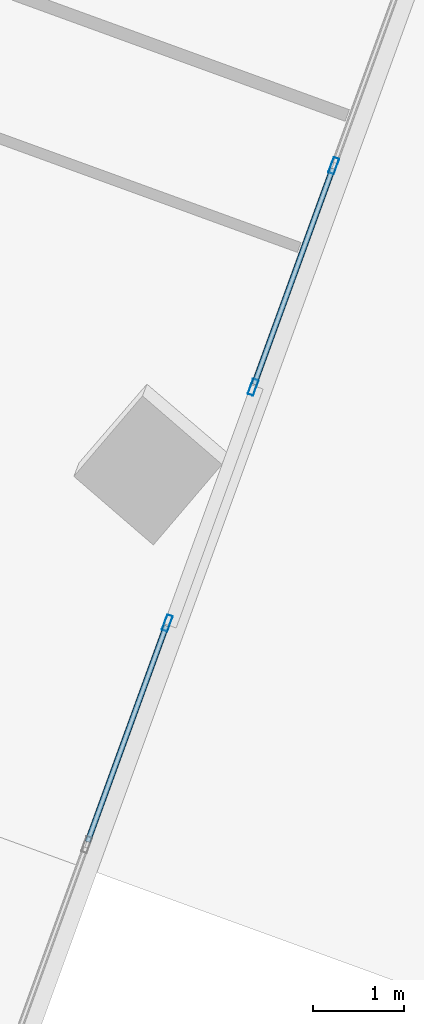
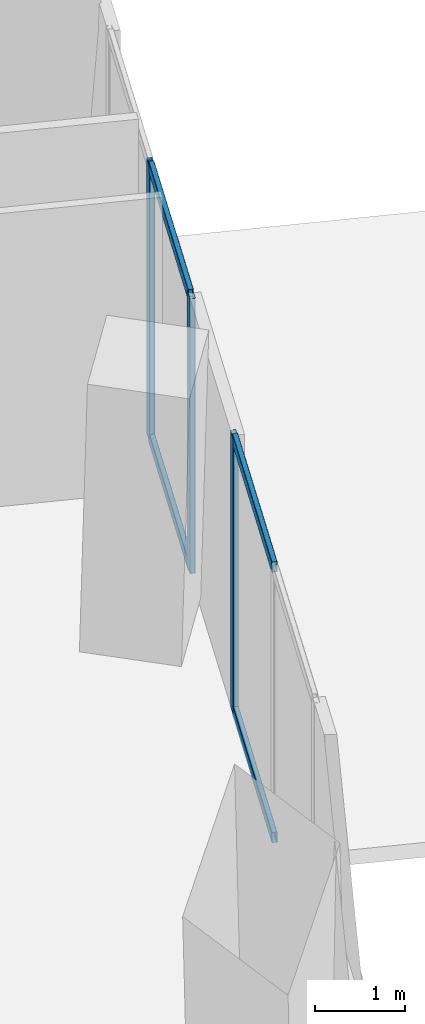
# One storey, part 9 of 21: 7 members, 2 elements without a shape of their own.
"""IFC4 building model written with IfcOpenShell, lengths in metres."""

from ifc_helpers import new_model, si_unit, direction, frame, origin, origin_2d, place, context, subcontext, project, spatial, hollow_rectangle, extrude, source, transform, mapped, material, material_profile, profile_set, type_object, element, aggregate, save


model = new_model("IFC4")

# Units and contexts
model_context = context("Model", 3, precision=1e-05, world=origin(), true_north=direction((0.0, 1.0)))
body_context = subcontext(model_context, "Body", "Model", "MODEL_VIEW")
ifc_project = project(units=[si_unit("LENGTHUNIT", "METRE"), si_unit("AREAUNIT", "SQUARE_METRE"), si_unit("VOLUMEUNIT", "CUBIC_METRE"), si_unit("PLANEANGLEUNIT", "RADIAN"), si_unit("MASSUNIT", "GRAM", prefix="KILO")], contexts=[model_context])

# Site, building, storey
site_placement = place(None, origin())
site = spatial("IfcSite", under=ifc_project, at=site_placement, CompositionType="ELEMENT")
building_placement = place(site_placement, origin())
building = spatial("IfcBuilding", under=site, at=building_placement, Name="Torre Montelarca", CompositionType="ELEMENT")
storey_placement = place(building_placement, frame((0.0, 0.0, 133.0)))
storey = spatial("IfcBuildingStorey", under=building, at=storey_placement, Name="L29", CompositionType="ELEMENT", Elevation=133.0)

# Curtain wall, member
ifc_material_1 = material(Name="Insulated low-E laminated glass", Category="glass")
curtain_wall_type = type_object("IfcCurtainWallType", Name="CW-SYS-Z2", PredefinedType="USERDEFINED", material=ifc_material_1)
curtain_wall_1_placement = place(storey_placement, origin())
curtain_wall_1 = element("IfcCurtainWall", 1, at=curtain_wall_1_placement, inside=storey, type_object=curtain_wall_type, Name="L29 Curtain Wall Run CW-T3-L29-E06-B1", ObjectType="UNITISED GLAZING", PredefinedType="USERDEFINED")
ifc_material_2 = material(Name="Anodised aluminium AA 6063-T6", Category="aluminium")
ifc_material_profile_1 = material_profile(ifc_material_2, hollow_rectangle(XDim=0.06494140625, YDim=0.179931640625, WallThickness=0.00390625, InnerFilletRadius=0.00390625, OuterFilletRadius=0.008056640625, at=origin_2d()), Name="ALU65X180X4", Category="aluminium")
ifc_profile_set_1 = profile_set([ifc_material_profile_1], Name="Anodised aluminium AA 6063-T6")
member_type_1 = type_object("IfcMemberType", Name="CWM-ALU180", PredefinedType="MULLION", material=ifc_profile_set_1)
shared_shape_1 = source(origin(), body_context, "Body", "SweptSolid", [
    extrude(hollow_rectangle(XDim=0.06494140625, YDim=0.179931640625, WallThickness=0.00390625, InnerFilletRadius=0.00390625, OuterFilletRadius=0.008056640625, at=origin_2d()), origin(), (0.0, 0.0, 1.0), 3.719970703125),
])
member_1_placement = place(storey_placement, frame((46.5556640625, 21.10791015625, 0.0), z_axis=(0.0, 0.0, 1.0), x_axis=(-0.939688565352, 0.342031285334, 0.0)))
member_1 = element("IfcMember", 2, at=member_1_placement, type_object=member_type_1, Name="CW mullion 3", PredefinedType="MULLION", context=body_context, shape_type="MappedRepresentation", body=[
    mapped(shared_shape_1, transform((0.0, 0.0, 0.0), scale=1.0)),
])

# Curtain wall, members
curtain_wall_2_placement = place(storey_placement, origin())
curtain_wall_2 = element("IfcCurtainWall", 3, at=curtain_wall_2_placement, inside=storey, type_object=curtain_wall_type, Name="L29 Curtain Wall Run CW-T3-L29-E06-B2", ObjectType="UNITISED GLAZING", PredefinedType="USERDEFINED")
member_2_placement = place(storey_placement, frame((47.497314453125, 23.695068359375, 0.0), z_axis=(0.0, 0.0, 1.0), x_axis=(-0.939697456867, 0.34200685601, 0.0)))
member_2 = element("IfcMember", 4, at=member_2_placement, type_object=member_type_1, Name="CW mullion 1", PredefinedType="MULLION", context=body_context, shape_type="MappedRepresentation", body=[
    mapped(shared_shape_1, transform((0.0, 0.0, 0.0), scale=1.0)),
])
member_3_placement = place(storey_placement, frame((48.381591796875, 26.124267578125, 0.0), z_axis=(0.0, 0.0, 1.0), x_axis=(-0.939697456867, 0.34200685601, 0.0)))
member_3 = element("IfcMember", 5, at=member_3_placement, type_object=member_type_1, Name="CW mullion 2", PredefinedType="MULLION", context=body_context, shape_type="MappedRepresentation", body=[
    mapped(shared_shape_1, transform((0.0, 0.0, 0.0), scale=1.0)),
])

# Member
ifc_material_profile_2 = material_profile(ifc_material_2, hollow_rectangle(XDim=0.06494140625, YDim=0.139892578125, WallThickness=0.00390625, InnerFilletRadius=0.00390625, OuterFilletRadius=0.008056640625, at=origin_2d()), Name="ALU65X140X4", Category="aluminium")
ifc_profile_set_2 = profile_set([ifc_material_profile_2], Name="Anodised aluminium AA 6063-T6")
member_type_2 = type_object("IfcMemberType", Name="CWT-ALU140", PredefinedType="USERDEFINED", material=ifc_profile_set_2)
shared_shape_2 = source(origin(), body_context, "Body", "SweptSolid", [
    extrude(hollow_rectangle(XDim=0.06494140625, YDim=0.139892578125, WallThickness=0.00390625, InnerFilletRadius=0.00390625, OuterFilletRadius=0.008056640625, at=origin_2d()), origin(), (0.0, 0.0, 1.0), 2.52099609375),
])
member_4_placement = place(storey_placement, frame((45.682373046875, 18.70849609375, 0.032470703125), z_axis=(0.342054077168, 0.939680269184, 0.0), x_axis=(-0.939680269184, 0.342054077168, 0.0)))
member_4 = element("IfcMember", 6, at=member_4_placement, type_object=member_type_2, Name="CW transom 2.1", ObjectType="TRANSOM", PredefinedType="USERDEFINED", context=body_context, shape_type="MappedRepresentation", body=[
    mapped(shared_shape_2, transform((0.0, 0.0, 0.0), scale=1.0)),
])

member_5_placement = place(storey_placement, frame((45.682373046875, 18.70849609375, 3.6875), z_axis=(0.342054077168, 0.939680269184, 0.0), x_axis=(-0.939680269184, 0.342054077168, 0.0)))
member_5 = element("IfcMember", 7, at=member_5_placement, type_object=member_type_2, Name="CW transom 2.2", ObjectType="TRANSOM", PredefinedType="USERDEFINED", context=body_context, shape_type="MappedRepresentation", body=[
    mapped(shared_shape_2, transform((0.0, 0.0, 0.0), scale=1.0)),
])

aggregate(curtain_wall_1, [member_1, member_4, member_5])

shared_shape_3 = source(origin(), body_context, "Body", "SweptSolid", [
    extrude(hollow_rectangle(XDim=0.06494140625, YDim=0.139892578125, WallThickness=0.00390625, InnerFilletRadius=0.00390625, OuterFilletRadius=0.008056640625, at=origin_2d()), origin(), (0.0, 0.0, 1.0), 2.519775390625),
])
member_6_placement = place(storey_placement, frame((47.508544921875, 23.7255859375, 0.032470703125), z_axis=(0.342007541231, 0.939697207478, 0.0), x_axis=(-0.939697207478, 0.342007541231, 0.0)))
member_6 = element("IfcMember", 8, at=member_6_placement, type_object=member_type_2, Name="CW transom 1.1", ObjectType="TRANSOM", PredefinedType="USERDEFINED", context=body_context, shape_type="MappedRepresentation", body=[
    mapped(shared_shape_3, transform((0.0, 0.0, 0.0), scale=1.0)),
])

member_7_placement = place(storey_placement, frame((47.508544921875, 23.7255859375, 3.6875), z_axis=(0.342007541231, 0.939697207478, 0.0), x_axis=(-0.939697207478, 0.342007541231, 0.0)))
member_7 = element("IfcMember", 9, at=member_7_placement, type_object=member_type_2, Name="CW transom 1.2", ObjectType="TRANSOM", PredefinedType="USERDEFINED", context=body_context, shape_type="MappedRepresentation", body=[
    mapped(shared_shape_3, transform((0.0, 0.0, 0.0), scale=1.0)),
])

aggregate(curtain_wall_2, [member_2, member_3, member_6, member_7])

save(model, "model.ifc")
